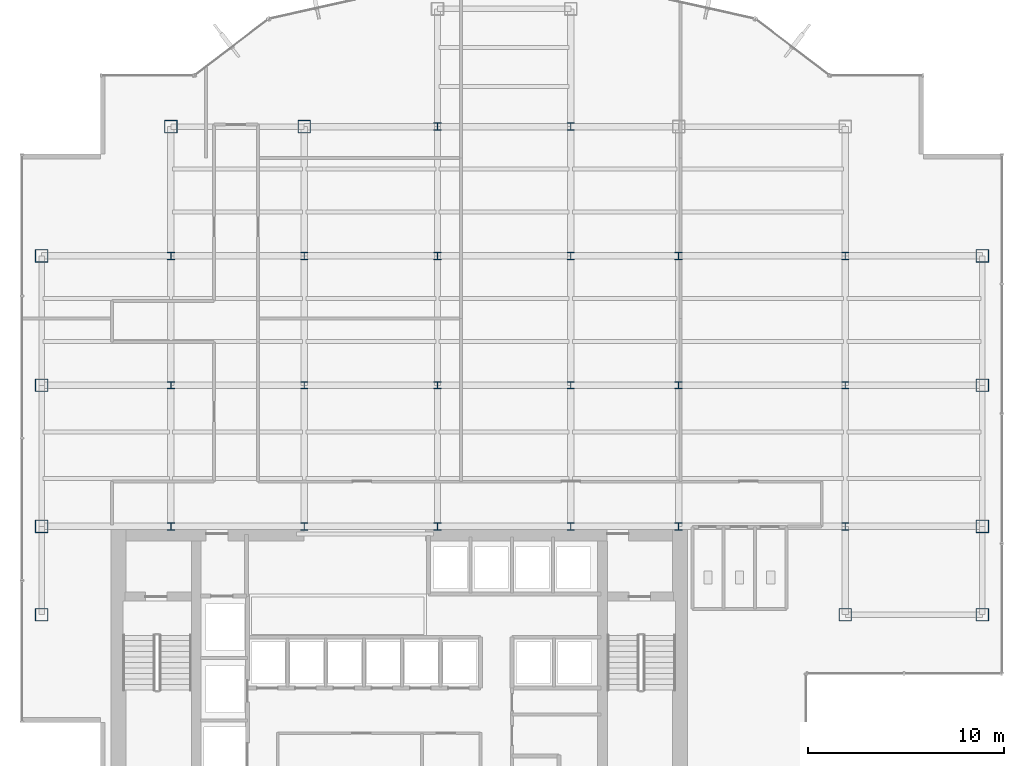
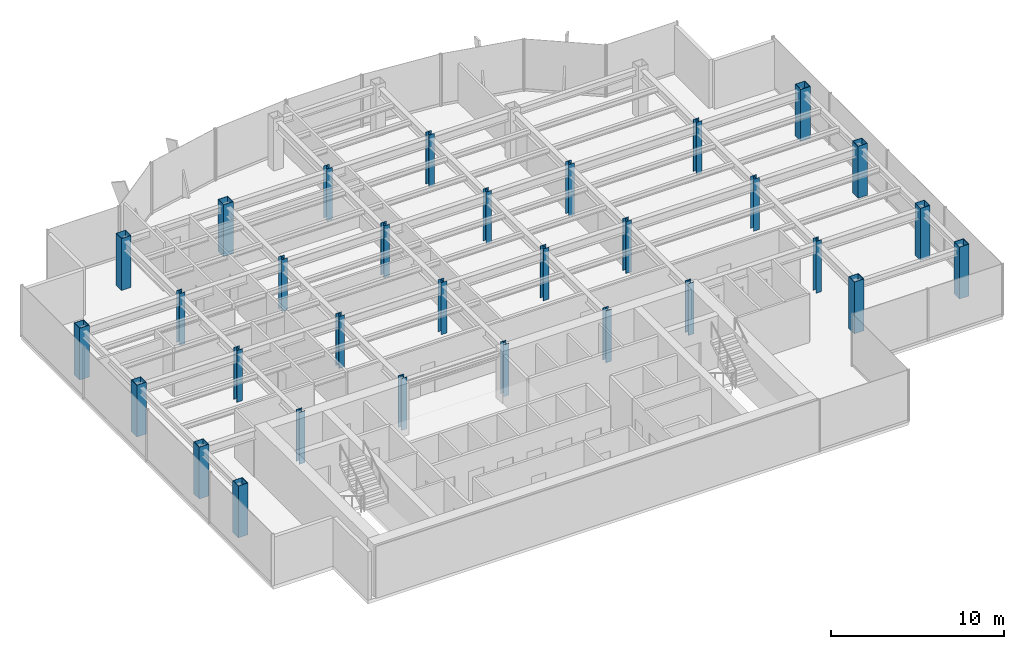
# One storey, part 1 of 25: 31 columns.
"""IFC4 building model written with IfcOpenShell, lengths in metres."""

from ifc_helpers import new_model, si_unit, derived_unit, direction, frame, origin, origin_2d, place, context, subcontext, project, spatial, hollow_rectangle, i_section, extrude, source, transform, mapped, material, material_profile, profile_set, type_object, element, save


model = new_model("IFC4")

# Units and contexts
model_context = context("Model", 3, precision=1e-05, world=origin(), true_north=direction((0.0, 1.0)))
body_context = subcontext(model_context, "Body", "Model", "MODEL_VIEW")
ifc_project = project(units=[si_unit("LENGTHUNIT", "METRE"), si_unit("AREAUNIT", "SQUARE_METRE"), si_unit("VOLUMEUNIT", "CUBIC_METRE"), si_unit("PLANEANGLEUNIT", "RADIAN"), si_unit("MASSUNIT", "GRAM", prefix="KILO"), derived_unit("THERMALTRANSMITTANCEUNIT", [(si_unit("POWERUNIT", "WATT"), 1), (si_unit("LENGTHUNIT", "METRE"), -2), (si_unit("THERMODYNAMICTEMPERATUREUNIT", "KELVIN"), -1)])], contexts=[model_context])

# Site, building, storey
site_placement = place(None, origin())
site = spatial("IfcSite", under=ifc_project, at=site_placement, CompositionType="ELEMENT")
building_placement = place(site_placement, origin())
building = spatial("IfcBuilding", under=site, at=building_placement, Name="Skarnbrae Concourse Arena and Tower", CompositionType="ELEMENT")
storey_placement = place(building_placement, frame((0.0, 0.0, 169.800048828125)))
storey = spatial("IfcBuildingStorey", under=building, at=storey_placement, Name="L43", CompositionType="ELEMENT", Elevation=169.800048828125)

# Columns
ifc_material = material(Name="Steel CSA G40.21 350W", Category="steel")
ifc_material_profile_1 = material_profile(ifc_material, hollow_rectangle(XDim=0.64990234375, YDim=0.64990234375, WallThickness=0.031982421875, at=origin_2d()), Name="BOX650X650X32")
ifc_profile_set_1 = profile_set([ifc_material_profile_1], Name="Steel CSA G40.21 350W")
column_type_1 = type_object("IfcColumnType", Name="COL-TUBE-BOX650", PredefinedType="COLUMN", material=ifc_profile_set_1)
shared_shape_1 = source(origin(), body_context, "Body", "SweptSolid", [
    extrude(hollow_rectangle(XDim=0.64990234375, YDim=0.64990234375, WallThickness=0.031982421875, at=origin_2d()), origin(), (0.0, 0.0, 1.0), 3.64990234375),
])
for number, where, z_axis, x_axis, name in (
    (1, (1.0, 9.5, 0.0), (0.0, 0.0, 1.0), (1.0, 0.0, 0.0), "L43 Tower column PC_01_01"),
    (2, (1.0, 14.0, 0.0), (0.0, 0.0, 1.0), (1.0, 0.0, 0.0), "L43 Tower column PC_01_02"),
    (3, (1.0, 21.199951171875, 0.0), (0.0, 0.0, 1.0), (1.0, 0.0, 0.0), "L43 Tower column PC_01_03"),
    (4, (1.0, 27.800048828125, 0.0), (0.0, 0.0, 1.0), (1.0, 0.0, 0.0), "L43 Tower column PC_01_04"),
    (5, (7.60009765625, 34.39990234375, 0.0), (0.0, 0.0, 1.0), (1.0, 0.0, 0.0), "L43 Tower column PC_02_05"),
    (6, (14.39990234375, 34.39990234375, 0.0), (0.0, 0.0, 1.0), (1.0, 0.0, 0.0), "L43 Tower column PC_03_05"),
    (7, (42.0, 9.5, 0.0), (0.0, 0.0, 1.0), (1.0, 0.0, 0.0), "L43 Tower column PC_07_01"),
    (8, (49.0, 9.5, 0.0), (0.0, 0.0, 1.0), (1.0, 0.0, 0.0), "L43 Tower column PC_08_01"),
    (9, (49.0, 14.0, 0.0), (0.0, 0.0, 1.0), (1.0, 0.0, 0.0), "L43 Tower column PC_08_02"),
    (10, (49.0, 21.199951171875, 0.0), (0.0, 0.0, 1.0), (1.0, 0.0, 0.0), "L43 Tower column PC_08_03"),
    (11, (49.0, 27.800048828125, 0.0), (0.0, 0.0, 1.0), (1.0, 0.0, 0.0), "L43 Tower column PC_08_04"),
):
    element("IfcColumn", number, at=place(storey_placement, frame(where, z_axis=z_axis, x_axis=x_axis)), inside=storey, type_object=column_type_1, Name=name, PredefinedType="COLUMN", context=body_context, shape_type="MappedRepresentation", body=[
        mapped(shared_shape_1, transform((0.0, 0.0, 0.0))),
    ])
ifc_material_profile_2 = material_profile(ifc_material, i_section(OverallWidth=0.3740234375, OverallDepth=0.3720703125, WebThickness=0.016357421875, FlangeThickness=0.026123046875, at=origin_2d()), Name="W360X196")
ifc_profile_set_2 = profile_set([ifc_material_profile_2], Name="Steel CSA G40.21 350W")
column_type_2 = type_object("IfcColumnType", Name="COL-INT-W360X196", PredefinedType="COLUMN", material=ifc_profile_set_2)
shared_shape_2 = source(origin(), body_context, "Body", "SweptSolid", [
    extrude(i_section(OverallWidth=0.3740234375, OverallDepth=0.3720703125, WebThickness=0.016357421875, FlangeThickness=0.026123046875, at=origin_2d()), origin(), (0.0, 0.0, 1.0), 3.64990234375),
])
for number, where, z_axis, x_axis, name in (
    (12, (7.60009765625, 14.0, 0.0), (0.0, 0.0, 1.0), (1.0, 0.0, 0.0), "L43 Tower column IC_02_02"),
    (13, (7.60009765625, 21.199951171875, 0.0), (0.0, 0.0, 1.0), (1.0, 0.0, 0.0), "L43 Tower column IC_02_03"),
    (14, (7.60009765625, 27.800048828125, 0.0), (0.0, 0.0, 1.0), (1.0, 0.0, 0.0), "L43 Tower column IC_02_04"),
    (15, (14.39990234375, 14.0, 0.0), (0.0, 0.0, 1.0), (1.0, 0.0, 0.0), "L43 Tower column IC_03_02"),
    (16, (14.39990234375, 21.199951171875, 0.0), (0.0, 0.0, 1.0), (1.0, 0.0, 0.0), "L43 Tower column IC_03_03"),
    (17, (14.39990234375, 27.800048828125, 0.0), (0.0, 0.0, 1.0), (1.0, 0.0, 0.0), "L43 Tower column IC_03_04"),
    (18, (21.199951171875, 14.0, 0.0), (0.0, 0.0, 1.0), (1.0, 0.0, 0.0), "L43 Tower column IC_04_02"),
    (19, (21.199951171875, 21.199951171875, 0.0), (0.0, 0.0, 1.0), (1.0, 0.0, 0.0), "L43 Tower column IC_04_03"),
    (20, (21.199951171875, 27.800048828125, 0.0), (0.0, 0.0, 1.0), (1.0, 0.0, 0.0), "L43 Tower column IC_04_04"),
    (21, (21.199951171875, 34.39990234375, 0.0), (0.0, 0.0, 1.0), (1.0, 0.0, 0.0), "L43 Tower column IC_04_05"),
    (22, (28.0, 14.0, 0.0), (0.0, 0.0, 1.0), (1.0, 0.0, 0.0), "L43 Tower column IC_05_02"),
    (23, (28.0, 21.199951171875, 0.0), (0.0, 0.0, 1.0), (1.0, 0.0, 0.0), "L43 Tower column IC_05_03"),
    (24, (28.0, 27.800048828125, 0.0), (0.0, 0.0, 1.0), (1.0, 0.0, 0.0), "L43 Tower column IC_05_04"),
    (25, (28.0, 34.39990234375, 0.0), (0.0, 0.0, 1.0), (1.0, 0.0, 0.0), "L43 Tower column IC_05_05"),
    (26, (33.5, 14.0, 0.0), (0.0, 0.0, 1.0), (1.0, 0.0, 0.0), "L43 Tower column IC_06_02"),
    (27, (33.5, 21.199951171875, 0.0), (0.0, 0.0, 1.0), (1.0, 0.0, 0.0), "L43 Tower column IC_06_03"),
    (28, (33.5, 27.800048828125, 0.0), (0.0, 0.0, 1.0), (1.0, 0.0, 0.0), "L43 Tower column IC_06_04"),
    (29, (42.0, 14.0, 0.0), (0.0, 0.0, 1.0), (1.0, 0.0, 0.0), "L43 Tower column IC_07_02"),
    (30, (42.0, 21.199951171875, 0.0), (0.0, 0.0, 1.0), (1.0, 0.0, 0.0), "L43 Tower column IC_07_03"),
    (31, (42.0, 27.800048828125, 0.0), (0.0, 0.0, 1.0), (1.0, 0.0, 0.0), "L43 Tower column IC_07_04"),
):
    element("IfcColumn", number, at=place(storey_placement, frame(where, z_axis=z_axis, x_axis=x_axis)), inside=storey, type_object=column_type_2, Name=name, PredefinedType="COLUMN", context=body_context, shape_type="MappedRepresentation", body=[
        mapped(shared_shape_2, transform((0.0, 0.0, 0.0))),
    ])

save(model, "model.ifc")
